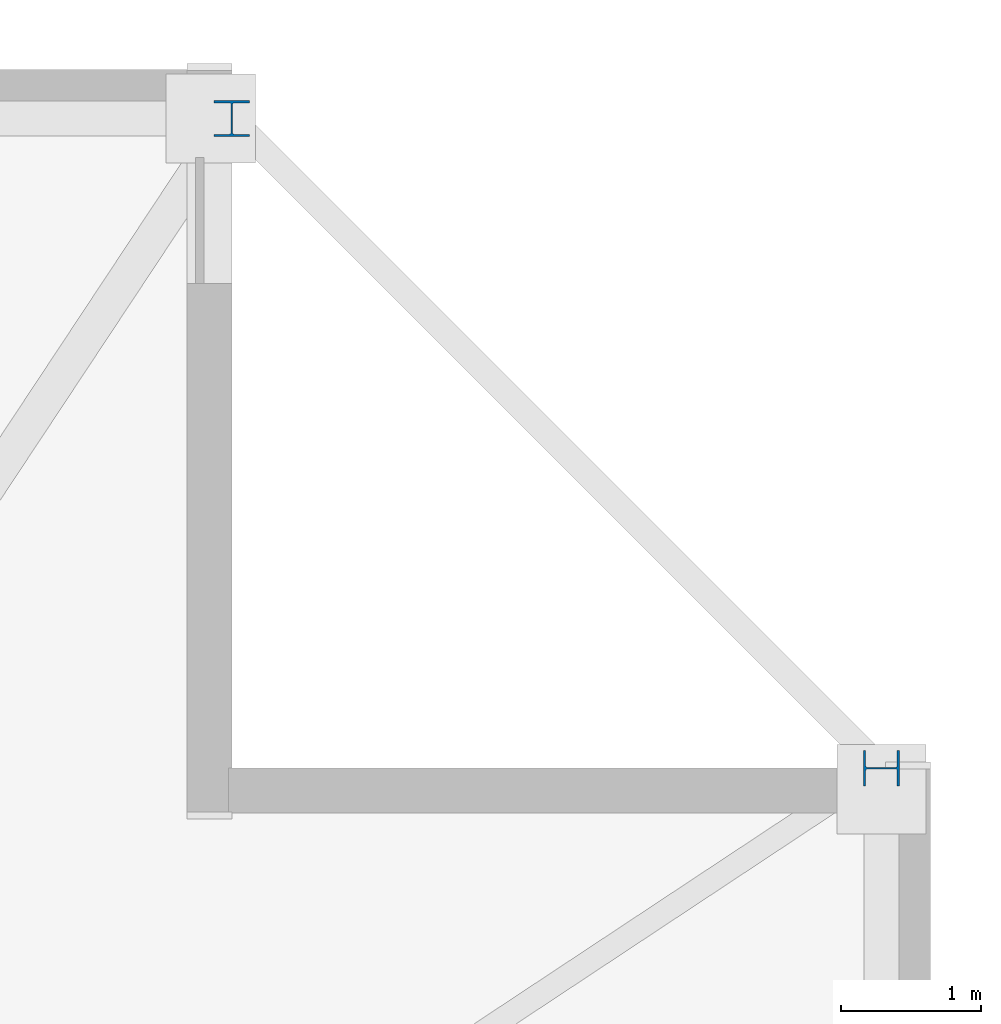
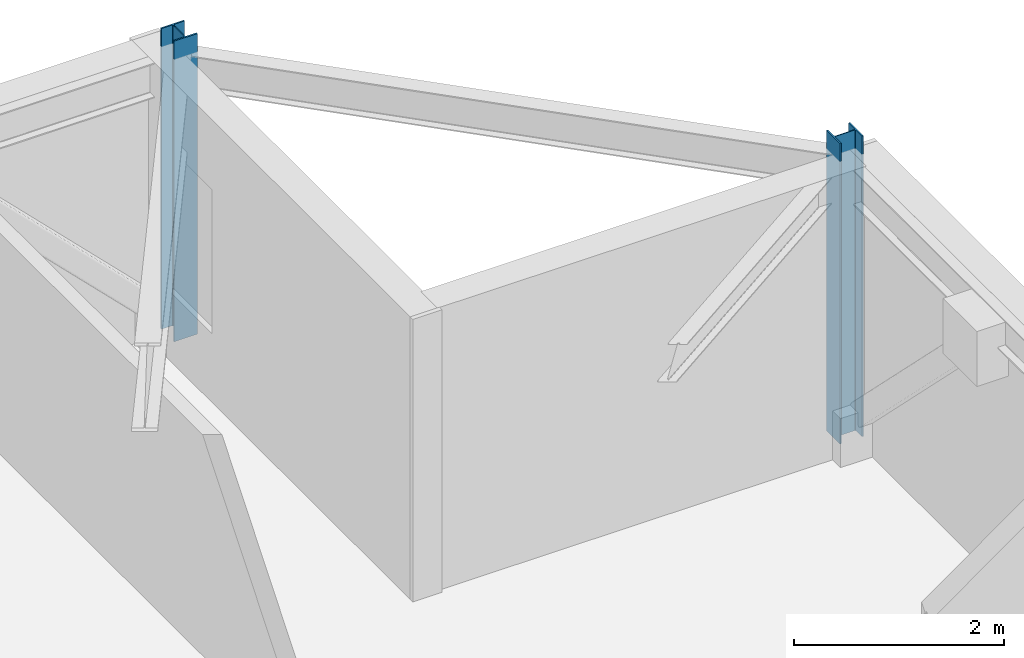
# One storey, part 5 of 17: 2 columns.
"""IFC4 building model written with IfcOpenShell, lengths in metres."""

from ifc_helpers import new_model, si_unit, direction, frame, origin, origin_2d, place, context, subcontext, project, spatial, i_section, extrude, material, material_profile, profile_set, type_object, element, save


model = new_model("IFC4")

# Units and contexts
model_context = context("Model", 3, precision=1e-05, world=origin(), true_north=direction((0.0, 1.0)))
body_context = subcontext(model_context, "Body", "Model", "MODEL_VIEW")
ifc_project = project(units=[si_unit("LENGTHUNIT", "METRE"), si_unit("AREAUNIT", "SQUARE_METRE"), si_unit("VOLUMEUNIT", "CUBIC_METRE"), si_unit("PLANEANGLEUNIT", "RADIAN"), si_unit("MASSUNIT", "GRAM", prefix="KILO")], contexts=[model_context])

# Site, building, storey
site_placement = place(None, origin())
site = spatial("IfcSite", under=ifc_project, at=site_placement, CompositionType="ELEMENT")
building_placement = place(site_placement, origin())
building = spatial("IfcBuilding", under=site, at=building_placement, Name="Cairnveth Concourse Tower", CompositionType="ELEMENT")
storey_placement = place(building_placement, frame((0.0, 0.0, 244.5)))
storey = spatial("IfcBuildingStorey", under=building, at=storey_placement, Name="L67", CompositionType="ELEMENT", Elevation=244.5)

# Columns
ifc_material = material(Name="Steel Grade 350", Category="steel")
ifc_material_profile = material_profile(ifc_material, i_section(OverallWidth=0.256103515625, OverallDepth=0.260009765625, WebThickness=0.010498046875, FlangeThickness=0.017333984375, FilletRadius=0.012939453125, at=origin_2d()), Name="250UC89.5")
ifc_profile_set = profile_set([ifc_material_profile], Name="Steel Grade 350")
column_type = type_object("IfcColumnType", Name="UNIVERSAL STEEL COLUMN 250UC89.5", PredefinedType="COLUMN", material=ifc_profile_set)
for number, where, z_axis, x_axis, name in (
    (1, (74.14990234375, 56.5, 0.0), (0.0, 0.0, 1.0), (0.0, 1.0, 0.0), "Column P-E4 L67"),
    (2, (69.5, 61.14990234375, 0.0), (0.0, 0.0, 1.0), (1.0, 0.0, 0.0), "Column P-N1 L67"),
):
    element("IfcColumn", number, at=place(storey_placement, frame(where, z_axis=z_axis, x_axis=x_axis)), inside=storey, type_object=column_type, Name=name, PredefinedType="COLUMN", context=body_context, shape_type="SweptSolid", body=[
        extrude(i_section(OverallWidth=0.256103515625, OverallDepth=0.260009765625, WebThickness=0.010498046875, FlangeThickness=0.017333984375, FilletRadius=0.012939453125, at=origin_2d()), origin(), (0.0, 0.0, 1.0), 3.5),
    ])

save(model, "model.ifc")
